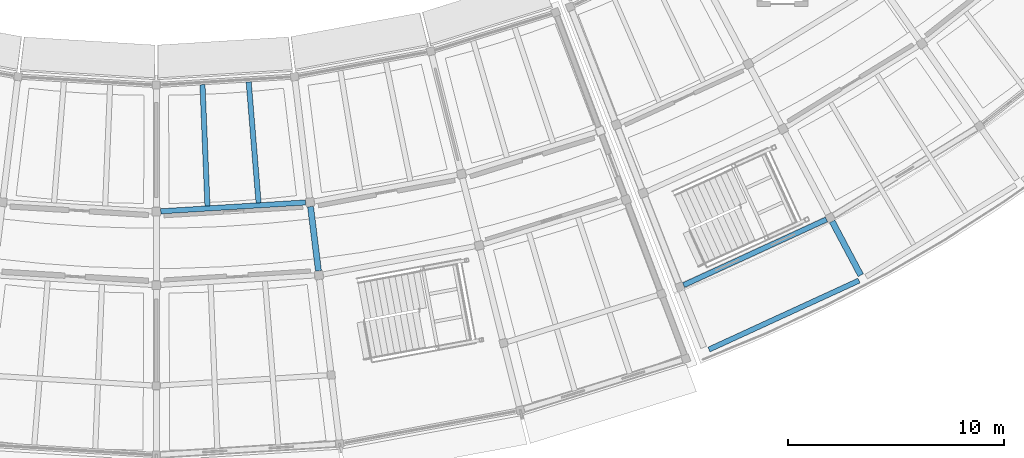
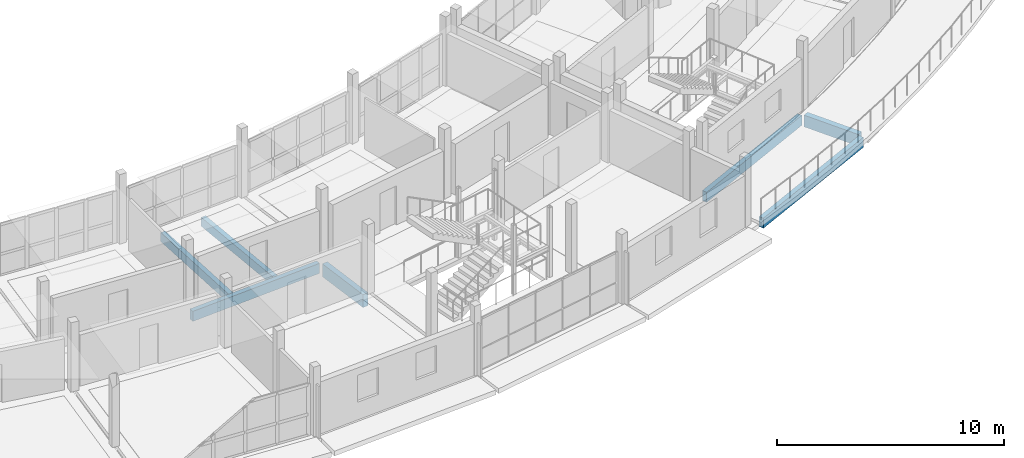
# One storey, part 16 of 36: 7 beams.
"""IFC4 building model written with IfcOpenShell, lengths in metres."""

from ifc_helpers import new_model, si_unit, direction, frame, origin, origin_2d, place, context, subcontext, project, spatial, rectangle, extrude, material, material_profile, profile_set, type_object, element, save


model = new_model("IFC4")

# Units and contexts
model_context = context("Model", 3, precision=1e-05, world=origin(), true_north=direction((0.0, 1.0)))
body_context = subcontext(model_context, "Body", "Model", "MODEL_VIEW")
ifc_project = project(units=[si_unit("LENGTHUNIT", "METRE"), si_unit("AREAUNIT", "SQUARE_METRE"), si_unit("VOLUMEUNIT", "CUBIC_METRE"), si_unit("PLANEANGLEUNIT", "RADIAN"), si_unit("MASSUNIT", "GRAM", prefix="KILO")], contexts=[model_context])

# Site, building, storey
site_placement = place(None, origin())
site = spatial("IfcSite", under=ifc_project, at=site_placement, CompositionType="ELEMENT")
building_placement = place(site_placement, origin())
building = spatial("IfcBuilding", under=site, at=building_placement, Name="Caldaven Crescent School", CompositionType="ELEMENT")
storey_placement = place(building_placement, frame((0.0, 0.0, 11.89990234375)))
storey = spatial("IfcBuildingStorey", under=building, at=storey_placement, Name="L03", CompositionType="ELEMENT", Elevation=11.89990234375)

# Beams
ifc_material = material(Name="Glulam MLE24h (GL28h)", Category="wood")
ifc_material_profile_1 = material_profile(ifc_material, rectangle(XDim=0.239990234375, YDim=0.5400390625, at=origin_2d()), Name="MLE 240x540")
ifc_profile_set_1 = profile_set([ifc_material_profile_1], Name="Glulam MLE24h (GL28h)")
beam_type_1 = type_object("IfcBeamType", Name="BM-GL54", PredefinedType="BEAM", material=ifc_profile_set_1)
beam_1_placement = place(storey_placement, frame((88.20458984375, 37.71240234375, -0.52001953125), z_axis=(0.998133569693, 0.061068625755, 0.0), x_axis=(-0.061068625755, 0.998133569693, 0.0)))
element("IfcBeam", 1, at=beam_1_placement, inside=storey, type_object=beam_type_1, Name="BMT-V5-L03-1444", PredefinedType="BEAM", context=body_context, shape_type="SweptSolid", body=[
    extrude(rectangle(XDim=0.239990234375, YDim=0.5400390625, at=origin_2d()), origin(), (0.0, 0.0, 1.0), 6.708251953125),
])
beam_2_placement = place(storey_placement, frame((112.376220703125, 34.301513671875, -0.52001953125), z_axis=(0.908523111099, 0.417834604357, 0.0), x_axis=(-0.417834604357, 0.908523111099, 0.0)))
element("IfcBeam", 2, at=beam_2_placement, inside=storey, type_object=beam_type_1, Name="BMT-V4E-L03-1490", PredefinedType="BEAM", context=body_context, shape_type="SweptSolid", body=[
    extrude(rectangle(XDim=0.239990234375, YDim=0.5400390625, at=origin_2d()), origin(), (0.0, 0.0, 1.0), 7.26513671875),
])
ifc_material_profile_2 = material_profile(ifc_material, rectangle(XDim=0.280029296875, YDim=0.6298828125, at=origin_2d()), Name="MLE 280x630")
ifc_profile_set_2 = profile_set([ifc_material_profile_2], Name="Glulam MLE24h (GL28h)")
beam_type_2 = type_object("IfcBeamType", Name="BM-GL63", PredefinedType="BEAM", material=ifc_profile_set_2)
beam_3_placement = place(storey_placement, frame((119.238525390625, 37.248779296875, -0.56494140625), z_axis=(0.469478008596, -0.882944165531, 0.0), x_axis=(0.882944165531, 0.469478008596, 0.0)))
element("IfcBeam", 3, at=beam_3_placement, inside=storey, type_object=beam_type_2, Name="BMR-V4E-L03-1474", PredefinedType="BEAM", context=body_context, shape_type="SweptSolid", body=[
    extrude(rectangle(XDim=0.280029296875, YDim=0.6298828125, at=origin_2d()), origin(), (0.0, 0.0, 1.0), 2.820068359375),
])
ifc_material_profile_3 = material_profile(ifc_material, rectangle(XDim=0.280029296875, YDim=0.68994140625, at=origin_2d()), Name="MLE 280x690")
ifc_profile_set_3 = profile_set([ifc_material_profile_3], Name="Glulam MLE24h (GL28h)")
beam_type_3 = type_object("IfcBeamType", Name="BM-GL69", PredefinedType="BEAM", material=ifc_profile_set_3)
beam_4_placement = place(storey_placement, frame((95.1298828125, 37.93115234375, -0.594970703125), z_axis=(0.121904002134, -0.99254189547, 0.0), x_axis=(0.99254189547, 0.121904002134, 0.0)))
element("IfcBeam", 4, at=beam_4_placement, inside=storey, type_object=beam_type_3, Name="BMR-V5-L03-1409", PredefinedType="BEAM", context=body_context, shape_type="SweptSolid", body=[
    extrude(rectangle(XDim=0.280029296875, YDim=0.68994140625, at=origin_2d()), origin(), (0.0, 0.0, 1.0), 2.989990234375),
])
ifc_material_profile_4 = material_profile(ifc_material, rectangle(XDim=0.239990234375, YDim=0.47998046875, at=origin_2d()), Name="MLE 240x480")
ifc_profile_set_4 = profile_set([ifc_material_profile_4], Name="Glulam MLE24h (GL28h)")
beam_type_4 = type_object("IfcBeamType", Name="JS-GL48", PredefinedType="JOIST", material=ifc_profile_set_4)
for number, where, z_axis, x_axis, name in (
    (5, (90.13525390625, 43.5654296875, -0.489990234375), (0.040730946432, -0.999170150676, 0.0), (0.999170150676, 0.040730946432, 0.0), "JSR-V5-L03-1448"),
    (6, (92.270751953125, 43.696044921875, -0.489990234375), (0.081374360202, -0.996683607521, 0.0), (0.996683607521, 0.081374360202, 0.0), "JSR-V5-L03-1450"),
):
    element("IfcBeam", number, at=place(storey_placement, frame(where, z_axis=z_axis, x_axis=x_axis)), inside=storey, type_object=beam_type_4, Name=name, PredefinedType="JOIST", context=body_context, shape_type="SweptSolid", body=[
        extrude(rectangle(XDim=0.239990234375, YDim=0.47998046875, at=origin_2d()), origin(), (0.0, 0.0, 1.0), 5.6103515625),
    ])
ifc_material_profile_5 = material_profile(ifc_material, rectangle(XDim=0.239990234375, YDim=0.5400390625, at=origin_2d()), Name="MLE 240x540")
ifc_profile_set_5 = profile_set([ifc_material_profile_5], Name="Glulam MLE24h (GL28h)")
beam_type_5 = type_object("IfcBeamType", Name="SP-GL54", PredefinedType="SPANDREL", material=ifc_profile_set_5)
beam_5_placement = place(storey_placement, frame((113.543701171875, 31.322021484375, -0.52001953125), z_axis=(0.908522990754, 0.417834866031, 0.0), x_axis=(-0.417834866031, 0.908522990754, 0.0)))
element("IfcBeam", 7, at=beam_5_placement, inside=storey, type_object=beam_type_5, Name="BMT-V4E-L03-1491", PredefinedType="SPANDREL", context=body_context, shape_type="SweptSolid", body=[
    extrude(rectangle(XDim=0.239990234375, YDim=0.5400390625, at=origin_2d()), origin(), (0.0, 0.0, 1.0), 7.6337890625),
])

save(model, "model.ifc")
